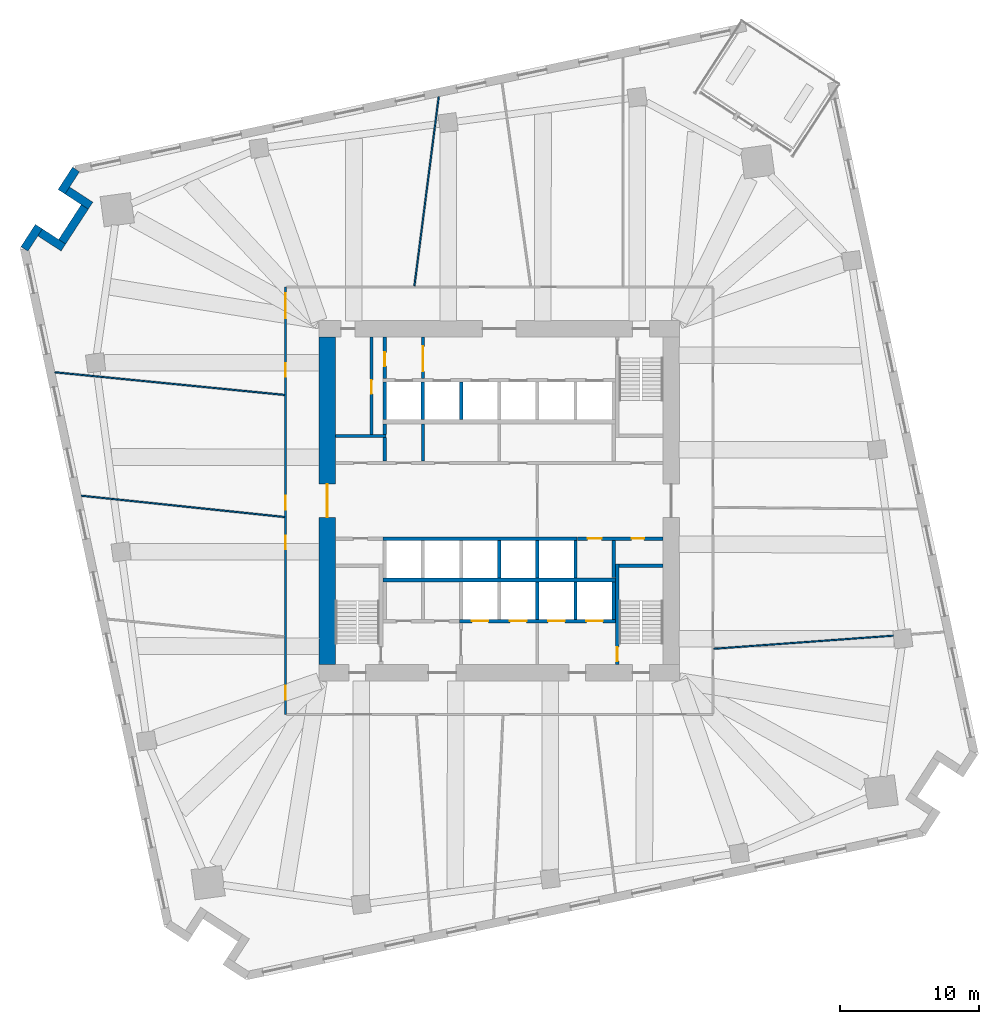
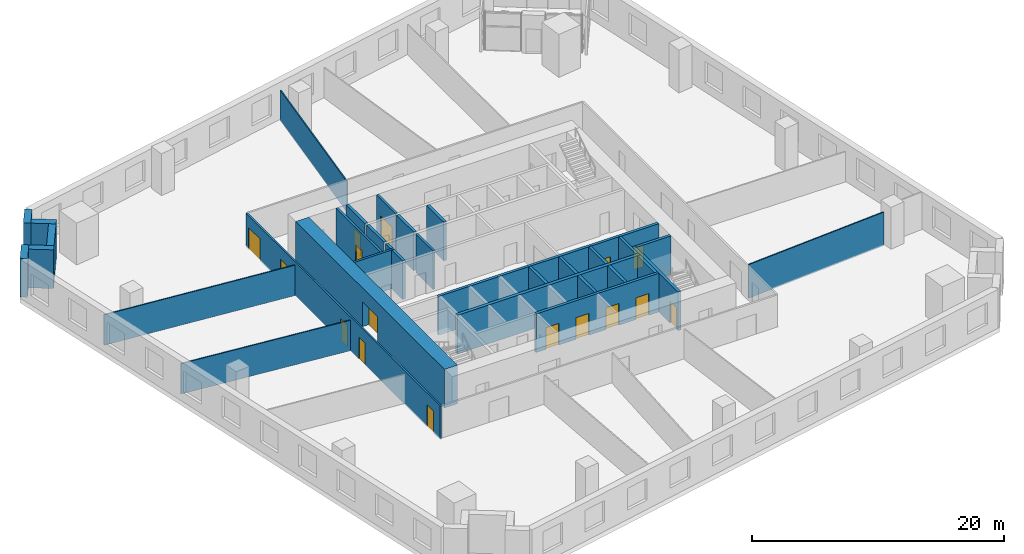
# One storey, part 5 of 10: 34 walls, 16 doors, 16 openings.
"""IFC4 building model written with IfcOpenShell, lengths in metres."""

from ifc_helpers import new_model, si_unit, direction, frame, frame_2d, origin, place, context, subcontext, project, spatial, rectangle, extrude, material, layer, layer_set, type_object, element, fill, save


model = new_model("IFC4")

# Units and contexts
model_context = context("Model", 3, precision=1e-05, world=origin(), true_north=direction((0.0, 1.0)))
body_context = subcontext(model_context, "Body", "Model", "MODEL_VIEW")
ifc_project = project(units=[si_unit("LENGTHUNIT", "METRE"), si_unit("AREAUNIT", "SQUARE_METRE"), si_unit("VOLUMEUNIT", "CUBIC_METRE"), si_unit("PLANEANGLEUNIT", "RADIAN"), si_unit("MASSUNIT", "GRAM", prefix="KILO")], contexts=[model_context])

# Site, building, storey
site_placement = place(None, origin())
site = spatial("IfcSite", under=ifc_project, at=site_placement, CompositionType="ELEMENT")
building_placement = place(site_placement, origin())
building = spatial("IfcBuilding", under=site, at=building_placement, Name="Dilmun Exchange Tower", CompositionType="ELEMENT")
storey_placement = place(building_placement, frame((0.0, 0.0, 72.300048828125)))
storey = spatial("IfcBuildingStorey", under=building, at=storey_placement, Name="L16", CompositionType="ELEMENT", Elevation=72.300048828125)

# Walls
ifc_material_1 = material(Name="Concrete C40/50", Category="concrete")
ifc_layer_1 = layer(ifc_material_1, 0.199951171875)
ifc_layer_set_1 = layer_set([ifc_layer_1], Name="Concrete C40/50")
wall_type_1 = type_object("IfcWallType", Name="Core partition wall 200", PredefinedType="PARTITIONING", material=ifc_layer_set_1)
wall_1_placement = place(storey_placement, frame((-5.5, 2.85498046875, 0.0), z_axis=(0.0, 0.0, 1.0), x_axis=(0.0, 1.0, 0.0)))
element("IfcWall", 1, at=wall_1_placement, inside=storey, type_object=wall_type_1, Name="L16 core partition wall 12", PredefinedType="PARTITIONING", context=body_context, shape_type="SweptSolid", body=[
    extrude(rectangle(XDim=2.68994140625, YDim=0.199951171875, at=frame_2d((1.344970703125, 0.0))), origin(), (0.0, 0.0, 1.0), 3.75),
])
wall_2_placement = place(storey_placement, frame((-11.794921875, 4.675048828125, 0.0), z_axis=(0.0, 0.0, 1.0), x_axis=(1.0, 0.0, 0.0)))
element("IfcWall", 2, at=wall_2_placement, inside=storey, type_object=wall_type_1, Name="L16 core partition wall 15", PredefinedType="PARTITIONING", context=body_context, shape_type="SweptSolid", body=[
    extrude(rectangle(XDim=3.64501953125, YDim=0.199951171875, at=frame_2d((1.822509765625, 0.0))), origin(), (0.0, 0.0, 1.0), 3.75),
])

# Wall, opening, door
wall_3_placement = place(storey_placement, frame((-9.199951171875, 4.780029296875, 0.0), z_axis=(0.0, 0.0, 1.0), x_axis=(0.0, 1.0, 0.0)))
wall_3 = element("IfcWall", 3, at=wall_3_placement, inside=storey, type_object=wall_type_1, Name="L16 core partition wall 16", PredefinedType="PARTITIONING", context=body_context, shape_type="SweptSolid", body=[
    extrude(rectangle(XDim=7.014892578125, YDim=0.199951171875, at=frame_2d((3.50732421875, 0.0))), origin(), (0.0, 0.0, 1.0), 3.75),
])
opening_1_placement = place(wall_3_placement, frame((2.919921875, 0.0, 0.0)))
opening_1 = element("IfcOpeningElement", 4, at=opening_1_placement, cuts=wall_3, Name="Opening CD4", PredefinedType="OPENING", context=body_context, shape_type="SweptSolid", body=[
    extrude(rectangle(XDim=1.0, YDim=2.10009765625, at=frame_2d((0.5, 1.050048828125))), frame((0.0, 0.10986328125, 0.0), z_axis=(0.0, -1.0, 0.0), x_axis=(1.0, 0.0, 0.0)), (0.0, 0.0, 1.0), 0.219970703125),
])
ifc_material_2 = material(Name="Fire-rated steel door set", Category="steel")
door_type_1 = type_object("IfcDoorType", Name="Core room door 1000x2100", OperationType="SINGLE_SWING_LEFT", PredefinedType="DOOR", material=ifc_material_2)
door_1_placement = place(opening_1_placement, origin())
door_1 = element("IfcDoor", 5, at=door_1_placement, inside=storey, type_object=door_type_1, Name="L16 door Fire safety store", OperationType="SINGLE_SWING_LEFT", OverallHeight=2.10009765625, OverallWidth=1.0, PredefinedType="DOOR", context=body_context, shape_type="SweptSolid", body=[
    extrude(rectangle(XDim=1.0, YDim=2.10009765625, at=frame_2d((0.5, 1.050048828125))), frame((0.0, 0.02490234375, 0.0), z_axis=(0.0, -1.0, 0.0), x_axis=(1.0, 0.0, 0.0)), (0.0, 0.0, 1.0), 0.050048828125),
])
fill(opening_1, door_1)

wall_4_placement = place(storey_placement, frame((-5.5, 8.804931640625, 0.0), z_axis=(0.0, 0.0, 1.0), x_axis=(0.0, 1.0, 0.0)))
wall_4 = element("IfcWall", 6, at=wall_4_placement, inside=storey, type_object=wall_type_1, Name="L16 core partition wall 19", PredefinedType="PARTITIONING", context=body_context, shape_type="SweptSolid", body=[
    extrude(rectangle(XDim=2.989990234375, YDim=0.199951171875, at=frame_2d((1.4951171875, 0.0))), origin(), (0.0, 0.0, 1.0), 3.75),
])
opening_2_placement = place(wall_4_placement, frame((0.532470703125, 0.0, 0.0)))
opening_2 = element("IfcOpeningElement", 7, at=opening_2_placement, cuts=wall_4, Name="Opening CD5", PredefinedType="OPENING", context=body_context, shape_type="SweptSolid", body=[
    extrude(rectangle(XDim=1.800048828125, YDim=2.10009765625, at=frame_2d((0.89990234375, 1.050048828125))), frame((0.0, 0.10986328125, 0.0), z_axis=(0.0, -1.0, 0.0), x_axis=(1.0, 0.0, 0.0)), (0.0, 0.0, 1.0), 0.219970703125),
])
door_type_2 = type_object("IfcDoorType", Name="Stair exit door 1800x2100", OperationType="SINGLE_SWING_LEFT", PredefinedType="DOOR", material=ifc_material_2)
door_2_placement = place(opening_2_placement, origin())
door_2 = element("IfcDoor", 8, at=door_2_placement, inside=storey, type_object=door_type_2, Name="L16 door Lift lobby east", OperationType="SINGLE_SWING_LEFT", OverallHeight=2.10009765625, OverallWidth=1.800048828125, PredefinedType="DOOR", context=body_context, shape_type="SweptSolid", body=[
    extrude(rectangle(XDim=1.800048828125, YDim=2.10009765625, at=frame_2d((0.89990234375, 1.050048828125))), frame((0.0, 0.02490234375, 0.0), z_axis=(0.0, -1.0, 0.0), x_axis=(1.0, 0.0, 0.0)), (0.0, 0.0, 1.0), 0.050048828125),
])
fill(opening_2, door_2)

# Wall
ifc_layer_2 = layer(ifc_material_1, 0.25)
ifc_layer_set_2 = layer_set([ifc_layer_2], Name="Concrete C40/50")
wall_type_2 = type_object("IfcWallType", Name="Core partition wall 250", PredefinedType="PARTITIONING", material=ifc_layer_set_2)
wall_5_placement = place(storey_placement, frame((8.25, -5.544921875, 0.0), z_axis=(0.0, 0.0, 1.0), x_axis=(0.0, 1.0, 0.0)))
element("IfcWall", 9, at=wall_5_placement, inside=storey, type_object=wall_type_2, Name="L16 core partition wall 06", PredefinedType="PARTITIONING", context=body_context, shape_type="SweptSolid", body=[
    extrude(rectangle(XDim=2.68994140625, YDim=0.25, at=frame_2d((1.344970703125, 0.0))), origin(), (0.0, 0.0, 1.0), 3.75),
])

# Wall, openings, doors
wall_6_placement = place(storey_placement, frame((5.6298828125, -2.72509765625, 0.0), z_axis=(0.0, 0.0, 1.0), x_axis=(1.0, 0.0, 0.0)))
wall_6 = element("IfcWall", 10, at=wall_6_placement, inside=storey, type_object=wall_type_2, Name="L16 core partition wall 08", PredefinedType="PARTITIONING", context=body_context, shape_type="SweptSolid", body=[
    extrude(rectangle(XDim=6.1650390625, YDim=0.25, at=frame_2d((3.08251953125, 0.0))), origin(), (0.0, 0.0, 1.0), 3.75),
])
opening_3_placement = place(wall_6_placement, frame((0.7451171875, 0.0, 0.0)))
opening_3 = element("IfcOpeningElement", 11, at=opening_3_placement, cuts=wall_6, Name="Opening CD4", PredefinedType="OPENING", context=body_context, shape_type="SweptSolid", body=[
    extrude(rectangle(XDim=1.0, YDim=2.10009765625, at=frame_2d((0.5, 1.050048828125))), frame((0.0, 0.135009765625, 0.0), z_axis=(0.0, -1.0, 0.0), x_axis=(1.0, 0.0, 0.0)), (0.0, 0.0, 1.0), 0.27001953125),
])
opening_4_placement = place(wall_6_placement, frame((3.919921875, 0.0, 0.0)))
opening_4 = element("IfcOpeningElement", 12, at=opening_4_placement, cuts=wall_6, Name="Opening CD6", PredefinedType="OPENING", context=body_context, shape_type="SweptSolid", body=[
    extrude(rectangle(XDim=0.89990234375, YDim=2.10009765625, at=frame_2d((0.449951171875, 1.050048828125))), frame((0.0, 0.135009765625, 0.0), z_axis=(0.0, -1.0, 0.0), x_axis=(1.0, 0.0, 0.0)), (0.0, 0.0, 1.0), 0.27001953125),
])
door_3_placement = place(opening_3_placement, origin())
door_3 = element("IfcDoor", 13, at=door_3_placement, inside=storey, type_object=door_type_1, Name="L16 door Cleaners' store", OperationType="SINGLE_SWING_LEFT", OverallHeight=2.10009765625, OverallWidth=1.0, PredefinedType="DOOR", context=body_context, shape_type="SweptSolid", body=[
    extrude(rectangle(XDim=1.0, YDim=2.10009765625, at=frame_2d((0.5, 1.050048828125))), frame((0.0, 0.02490234375, 0.0), z_axis=(0.0, -1.0, 0.0), x_axis=(1.0, 0.0, 0.0)), (0.0, 0.0, 1.0), 0.050048828125),
])
fill(opening_3, door_3)
door_type_3 = type_object("IfcDoorType", Name="Core room door 900x2100", OperationType="SINGLE_SWING_LEFT", PredefinedType="DOOR", material=ifc_material_2)
door_4_placement = place(opening_4_placement, origin())
door_4 = element("IfcDoor", 14, at=door_4_placement, inside=storey, type_object=door_type_3, Name="L16 door Comms riser", OperationType="SINGLE_SWING_LEFT", OverallHeight=2.10009765625, OverallWidth=0.89990234375, PredefinedType="DOOR", context=body_context, shape_type="SweptSolid", body=[
    extrude(rectangle(XDim=0.89990234375, YDim=2.10009765625, at=frame_2d((0.449951171875, 1.050048828125))), frame((0.0, 0.02490234375, 0.0), z_axis=(0.0, -1.0, 0.0), x_axis=(1.0, 0.0, 0.0)), (0.0, 0.0, 1.0), 0.050048828125),
])
fill(opening_4, door_4)

# Walls
wall_7_placement = place(storey_placement, frame((-8.25, 2.85498046875, 0.0), z_axis=(0.0, 0.0, 1.0), x_axis=(0.0, 1.0, 0.0)))
element("IfcWall", 15, at=wall_7_placement, inside=storey, type_object=wall_type_2, Name="L16 core partition wall 11", PredefinedType="PARTITIONING", context=body_context, shape_type="SweptSolid", body=[
    extrude(rectangle(XDim=1.715087890625, YDim=0.25, at=frame_2d((0.857421875, 0.0))), origin(), (0.0, 0.0, 1.0), 3.75),
])
wall_8_placement = place(storey_placement, frame((-8.25, 4.780029296875, 0.0), z_axis=(0.0, 0.0, 1.0), x_axis=(0.0, 1.0, 0.0)))
element("IfcWall", 16, at=wall_8_placement, inside=storey, type_object=wall_type_2, Name="L16 core partition wall 17", PredefinedType="PARTITIONING", context=body_context, shape_type="SweptSolid", body=[
    extrude(rectangle(XDim=0.764892578125, YDim=0.25, at=frame_2d((0.38232421875, 0.0))), origin(), (0.0, 0.0, 1.0), 3.75),
])

# Wall, opening, door
wall_9_placement = place(storey_placement, frame((-8.25, 8.804931640625, 0.0), z_axis=(0.0, 0.0, 1.0), x_axis=(0.0, 1.0, 0.0)))
wall_9 = element("IfcWall", 17, at=wall_9_placement, inside=storey, type_object=wall_type_2, Name="L16 core partition wall 18", PredefinedType="PARTITIONING", context=body_context, shape_type="SweptSolid", body=[
    extrude(rectangle(XDim=2.989990234375, YDim=0.25, at=frame_2d((1.4951171875, 0.0))), origin(), (0.0, 0.0, 1.0), 3.75),
])
opening_5_placement = place(wall_9_placement, frame((0.89501953125, 0.0, 0.0)))
opening_5 = element("IfcOpeningElement", 18, at=opening_5_placement, cuts=wall_9, Name="Opening CD4", PredefinedType="OPENING", context=body_context, shape_type="SweptSolid", body=[
    extrude(rectangle(XDim=1.0, YDim=2.10009765625, at=frame_2d((0.5, 1.050048828125))), frame((0.0, 0.135009765625, 0.0), z_axis=(0.0, -1.0, 0.0), x_axis=(1.0, 0.0, 0.0)), (0.0, 0.0, 1.0), 0.27001953125),
])
door_5_placement = place(opening_5_placement, origin())
door_5 = element("IfcDoor", 19, at=door_5_placement, inside=storey, type_object=door_type_1, Name="L16 door Tenant services room", OperationType="SINGLE_SWING_LEFT", OverallHeight=2.10009765625, OverallWidth=1.0, PredefinedType="DOOR", context=body_context, shape_type="SweptSolid", body=[
    extrude(rectangle(XDim=1.0, YDim=2.10009765625, at=frame_2d((0.5, 1.050048828125))), frame((0.0, 0.02490234375, 0.0), z_axis=(0.0, -1.0, 0.0), x_axis=(1.0, 0.0, 0.0)), (0.0, 0.0, 1.0), 0.050048828125),
])
fill(opening_5, door_5)

ifc_material_3 = material(Name="Concrete C80/95", Category="concrete")
ifc_layer_3 = layer(ifc_material_3, 1.199951171875)
ifc_layer_set_3 = layer_set([ifc_layer_3], Name="Concrete C80/95")
wall_type_3 = type_object("IfcWallType", Name="Core shear wall 1200 Concrete C80/95", PredefinedType="SHEAR", material=ifc_layer_set_3)
wall_10_placement = place(storey_placement, frame((-12.39990234375, -11.800048828125, 0.0), z_axis=(0.0, 0.0, 1.0), x_axis=(0.0, 1.0, 0.0)))
wall_10 = element("IfcWall", 20, at=wall_10_placement, inside=storey, type_object=wall_type_3, Name="L16 core shear wall W", PredefinedType="SHEAR", context=body_context, shape_type="SweptSolid", body=[
    extrude(rectangle(XDim=23.60009765625, YDim=1.199951171875, at=frame_2d((11.800048828125, 0.0))), origin(), (0.0, 0.0, 1.0), 3.75),
])
opening_6_placement = place(wall_10_placement, frame((10.60009765625, 0.0, 0.0)))
opening_6 = element("IfcOpeningElement", 21, at=opening_6_placement, cuts=wall_10, Name="Opening CD1", PredefinedType="OPENING", context=body_context, shape_type="SweptSolid", body=[
    extrude(rectangle(XDim=2.39990234375, YDim=2.39990234375, at=frame_2d((1.199951171875, 1.199951171875))), frame((0.0, 0.60986328125, 0.0), z_axis=(0.0, -1.0, 0.0), x_axis=(1.0, 0.0, 0.0)), (0.0, 0.0, 1.0), 1.219970703125),
])
door_type_4 = type_object("IfcDoorType", Name="Core lobby door 2400x2400", OperationType="DOUBLE_DOOR_DOUBLE_SWING", PredefinedType="DOOR", material=ifc_material_2)
door_6_placement = place(opening_6_placement, origin())
door_6 = element("IfcDoor", 22, at=door_6_placement, inside=storey, type_object=door_type_4, Name="L16 door Central lift lobby", OperationType="SINGLE_SWING_LEFT", OverallHeight=2.39990234375, OverallWidth=2.39990234375, PredefinedType="DOOR", context=body_context, shape_type="SweptSolid", body=[
    extrude(rectangle(XDim=2.39990234375, YDim=2.39990234375, at=frame_2d((1.199951171875, 1.199951171875))), frame((0.0, 0.02490234375, 0.0), z_axis=(0.0, -1.0, 0.0), x_axis=(1.0, 0.0, 0.0)), (0.0, 0.0, 1.0), 0.050048828125),
])
fill(opening_6, door_6)

# Wall, openings, doors
ifc_material_4 = material(Name="Corridor wall 150")
ifc_layer_4 = layer(ifc_material_4, 0.14990234375)
ifc_layer_set_4 = layer_set([ifc_layer_4], Name="Corridor wall 150")
wall_type_4 = type_object("IfcWallType", Name="Corridor wall 150", PredefinedType="PARTITIONING", material=ifc_layer_set_4)
wall_11_placement = place(storey_placement, frame((-15.39990234375, -15.39990234375, 0.0), z_axis=(0.0, 0.0, 1.0), x_axis=(0.0, 1.0, 0.0)))
wall_11 = element("IfcWall", 23, at=wall_11_placement, inside=storey, type_object=wall_type_4, Name="Corridor wall", PredefinedType="PARTITIONING", context=body_context, shape_type="SweptSolid", body=[
    extrude(rectangle(XDim=30.7998046875, YDim=0.14990234375, at=frame_2d((15.39990234375, 0.0))), origin(), (0.0, 0.0, 1.0), 3.25),
])
opening_7_placement = place(wall_11_placement, frame((14.771484375, 0.0, 0.0)))
opening_7 = element("IfcOpeningElement", 24, at=opening_7_placement, cuts=wall_11, Name="Opening TF15-D01", PredefinedType="OPENING", context=body_context, shape_type="SweptSolid", body=[
    extrude(rectangle(XDim=1.0, YDim=2.10009765625, at=frame_2d((0.5, 1.050048828125))), frame((0.0, 0.0849609375, 0.0), z_axis=(0.0, -1.0, 0.0), x_axis=(1.0, 0.0, 0.0)), (0.0, 0.0, 1.0), 0.169921875),
])
opening_8_placement = place(wall_11_placement, frame((11.897216796875, 0.0, 0.0)))
opening_8 = element("IfcOpeningElement", 25, at=opening_8_placement, cuts=wall_11, Name="Opening TF15-D02", PredefinedType="OPENING", context=body_context, shape_type="SweptSolid", body=[
    extrude(rectangle(XDim=1.0, YDim=2.10009765625, at=frame_2d((0.5, 1.050048828125))), frame((0.0, 0.0849609375, 0.0), z_axis=(0.0, -1.0, 0.0), x_axis=(1.0, 0.0, 0.0)), (0.0, 0.0, 1.0), 0.169921875),
])
opening_9_placement = place(wall_11_placement, frame((28.5732421875, 0.0, 0.0)))
opening_9 = element("IfcOpeningElement", 26, at=opening_9_placement, cuts=wall_11, Name="Opening TF15-D03", PredefinedType="OPENING", context=body_context, shape_type="SweptSolid", body=[
    extrude(rectangle(XDim=1.800048828125, YDim=2.10009765625, at=frame_2d((0.89990234375, 1.050048828125))), frame((0.0, 0.0849609375, 0.0), z_axis=(0.0, -1.0, 0.0), x_axis=(1.0, 0.0, 0.0)), (0.0, 0.0, 1.0), 0.169921875),
])
opening_10_placement = place(wall_11_placement, frame((24.3232421875, 0.0, 0.0)))
opening_10 = element("IfcOpeningElement", 27, at=opening_10_placement, cuts=wall_11, Name="Opening TF15-D04", PredefinedType="OPENING", context=body_context, shape_type="SweptSolid", body=[
    extrude(rectangle(XDim=1.0, YDim=2.10009765625, at=frame_2d((0.5, 1.050048828125))), frame((0.0, 0.0849609375, 0.0), z_axis=(0.0, -1.0, 0.0), x_axis=(1.0, 0.0, 0.0)), (0.0, 0.0, 1.0), 0.169921875),
])
opening_11_placement = place(wall_11_placement, frame((1.050048828125, 0.0, 0.0)))
opening_11 = element("IfcOpeningElement", 28, at=opening_11_placement, cuts=wall_11, Name="Opening TF15-D06", PredefinedType="OPENING", context=body_context, shape_type="SweptSolid", body=[
    extrude(rectangle(XDim=1.0, YDim=2.10009765625, at=frame_2d((0.5, 1.050048828125))), frame((0.0, 0.0849609375, 0.0), z_axis=(0.0, -1.0, 0.0), x_axis=(1.0, 0.0, 0.0)), (0.0, 0.0, 1.0), 0.169921875),
])
ifc_material_5 = material(Name="Fire door 1000 x 2100")
door_type_5 = type_object("IfcDoorType", Name="Fire door 1000 x 2100", OperationType="NOTDEFINED", PredefinedType="DOOR", material=ifc_material_5)
door_7_placement = place(opening_7_placement, origin())
door_7 = element("IfcDoor", 29, at=door_7_placement, inside=storey, type_object=door_type_5, Name="Door TF15-D01", OperationType="SINGLE_SWING_RIGHT", OverallHeight=2.10009765625, OverallWidth=1.0, PredefinedType="DOOR", context=body_context, shape_type="SweptSolid", body=[
    extrude(rectangle(XDim=1.0, YDim=2.10009765625, at=frame_2d((0.5, 1.050048828125))), frame((0.0, 0.02490234375, 0.0), z_axis=(0.0, -1.0, 0.0), x_axis=(1.0, 0.0, 0.0)), (0.0, 0.0, 1.0), 0.050048828125),
])
fill(opening_7, door_7)
door_8_placement = place(opening_8_placement, origin())
door_8 = element("IfcDoor", 30, at=door_8_placement, inside=storey, type_object=door_type_5, Name="Door TF15-D02", OperationType="SINGLE_SWING_RIGHT", OverallHeight=2.10009765625, OverallWidth=1.0, PredefinedType="DOOR", context=body_context, shape_type="SweptSolid", body=[
    extrude(rectangle(XDim=1.0, YDim=2.10009765625, at=frame_2d((0.5, 1.050048828125))), frame((0.0, 0.02490234375, 0.0), z_axis=(0.0, -1.0, 0.0), x_axis=(1.0, 0.0, 0.0)), (0.0, 0.0, 1.0), 0.050048828125),
])
fill(opening_8, door_8)
door_9_placement = place(opening_10_placement, origin())
door_9 = element("IfcDoor", 31, at=door_9_placement, inside=storey, type_object=door_type_5, Name="Door TF15-D04", OperationType="SINGLE_SWING_LEFT", OverallHeight=2.10009765625, OverallWidth=1.0, PredefinedType="DOOR", context=body_context, shape_type="SweptSolid", body=[
    extrude(rectangle(XDim=1.0, YDim=2.10009765625, at=frame_2d((0.5, 1.050048828125))), frame((0.0, 0.02490234375, 0.0), z_axis=(0.0, -1.0, 0.0), x_axis=(1.0, 0.0, 0.0)), (0.0, 0.0, 1.0), 0.050048828125),
])
fill(opening_10, door_9)
door_10_placement = place(opening_11_placement, origin())
door_10 = element("IfcDoor", 32, at=door_10_placement, inside=storey, type_object=door_type_5, Name="Door TF15-D06", OperationType="SINGLE_SWING_RIGHT", OverallHeight=2.10009765625, OverallWidth=1.0, PredefinedType="DOOR", context=body_context, shape_type="SweptSolid", body=[
    extrude(rectangle(XDim=1.0, YDim=2.10009765625, at=frame_2d((0.5, 1.050048828125))), frame((0.0, 0.02490234375, 0.0), z_axis=(0.0, -1.0, 0.0), x_axis=(1.0, 0.0, 0.0)), (0.0, 0.0, 1.0), 0.050048828125),
])
fill(opening_11, door_10)
ifc_material_6 = material(Name="Fire door pair 1800 x 2100")
door_type_6 = type_object("IfcDoorType", Name="Fire door pair 1800 x 2100", OperationType="NOTDEFINED", PredefinedType="DOOR", material=ifc_material_6)
door_11_placement = place(opening_9_placement, origin())
door_11 = element("IfcDoor", 33, at=door_11_placement, inside=storey, type_object=door_type_6, Name="Door TF15-D03", OperationType="DOUBLE_DOOR_SINGLE_SWING", OverallHeight=2.10009765625, OverallWidth=1.800048828125, PredefinedType="DOOR", context=body_context, shape_type="SweptSolid", body=[
    extrude(rectangle(XDim=1.800048828125, YDim=2.10009765625, at=frame_2d((0.89990234375, 1.050048828125))), frame((0.0, 0.02490234375, 0.0), z_axis=(0.0, -1.0, 0.0), x_axis=(1.0, 0.0, 0.0)), (0.0, 0.0, 1.0), 0.050048828125),
])
fill(opening_9, door_11)

# Walls
ifc_layer_5 = layer(ifc_material_1, 0.300048828125)
ifc_layer_set_5 = layer_set([ifc_layer_5], Name="Concrete C40/50")
wall_type_5 = type_object("IfcWallType", Name="Lift shaft shared wall 300", PredefinedType="SOLIDWALL", material=ifc_layer_set_5)
wall_12_placement = place(storey_placement, frame((-8.375, -5.699951171875, 0.0), z_axis=(0.0, 0.0, 1.0), x_axis=(1.0, 0.0, 0.0)))
element("IfcWall", 34, at=wall_12_placement, inside=storey, type_object=wall_type_5, Name="L16 lift shaft rear wall S", PredefinedType="SOLIDWALL", context=body_context, shape_type="SweptSolid", body=[
    extrude(rectangle(XDim=16.75, YDim=0.300048828125, at=frame_2d((8.375, 0.0))), origin(), (0.0, 0.0, 1.0), 3.75),
])
ifc_layer_6 = layer(ifc_material_1, 0.25)
ifc_layer_set_6 = layer_set([ifc_layer_6], Name="Concrete C40/50")
wall_type_6 = type_object("IfcWallType", Name="Lift shaft wall 250", PredefinedType="SOLIDWALL", material=ifc_layer_set_6)
for number, where, z_axis, x_axis, name in (
    (35, (-8.25, 5.85009765625, 0.0), (0.0, 0.0, 1.0), (0.0, 1.0, 0.0), "L16 lift shaft divider N20"),
    (36, (-5.5, 5.85009765625, 0.0), (0.0, 0.0, 1.0), (0.0, 1.0, 0.0), "L16 lift shaft divider N21"),
    (37, (-2.75, 5.85009765625, 0.0), (0.0, 0.0, 1.0), (0.0, 1.0, 0.0), "L16 lift shaft divider N22"),
):
    element("IfcWall", number, at=place(storey_placement, frame(where, z_axis=z_axis, x_axis=x_axis)), inside=storey, type_object=wall_type_6, Name=name, PredefinedType="SOLIDWALL", context=body_context, shape_type="SweptSolid", body=[
        extrude(rectangle(XDim=2.699951171875, YDim=0.25, at=frame_2d((1.35009765625, 0.0))), origin(), (0.0, 0.0, 1.0), 3.75),
    ])
wall_13_placement = place(storey_placement, frame((-8.375, -2.72509765625, 0.0), z_axis=(0.0, 0.0, 1.0), x_axis=(1.0, 0.0, 0.0)))
element("IfcWall", 38, at=wall_13_placement, inside=storey, type_object=wall_type_6, Name="L16 lift shaft front wall S1", PredefinedType="SOLIDWALL", context=body_context, shape_type="SweptSolid", body=[
    extrude(rectangle(XDim=14.0, YDim=0.25, at=frame_2d((7.0, 0.0))), origin(), (0.0, 0.0, 1.0), 3.75),
])
for number, where, z_axis, x_axis, name in (
    (39, (0.0, -5.550048828125, 0.0), (0.0, 0.0, 1.0), (0.0, 1.0, 0.0), "L16 lift shaft divider S13"),
    (40, (2.75, -5.550048828125, 0.0), (0.0, 0.0, 1.0), (0.0, 1.0, 0.0), "L16 lift shaft divider S14"),
    (41, (5.5, -5.550048828125, 0.0), (0.0, 0.0, 1.0), (0.0, 1.0, 0.0), "L16 lift shaft divider S15"),
):
    element("IfcWall", number, at=place(storey_placement, frame(where, z_axis=z_axis, x_axis=x_axis)), inside=storey, type_object=wall_type_6, Name=name, PredefinedType="SOLIDWALL", context=body_context, shape_type="SweptSolid", body=[
        extrude(rectangle(XDim=2.699951171875, YDim=0.25, at=frame_2d((1.35009765625, 0.0))), origin(), (0.0, 0.0, 1.0), 3.75),
    ])

# Wall, openings, doors
wall_14_placement = place(storey_placement, frame((-2.875, -8.675048828125, 0.0), z_axis=(0.0, 0.0, 1.0), x_axis=(1.0, 0.0, 0.0)))
wall_14 = element("IfcWall", 42, at=wall_14_placement, inside=storey, type_object=wall_type_6, Name="L16 lift shaft front wall S2", PredefinedType="SOLIDWALL", context=body_context, shape_type="SweptSolid", body=[
    extrude(rectangle(XDim=11.25, YDim=0.25, at=frame_2d((5.625, 0.0))), origin(), (0.0, 0.0, 1.0), 3.75),
])
opening_12_placement = place(wall_14_placement, frame((0.89990234375, 0.0, 0.0)))
opening_12 = element("IfcOpeningElement", 43, at=opening_12_placement, cuts=wall_14, Name="Opening LD", PredefinedType="OPENING", context=body_context, shape_type="SweptSolid", body=[
    extrude(rectangle(XDim=1.199951171875, YDim=2.10009765625, at=frame_2d((0.60009765625, 1.050048828125))), frame((0.0, 0.135009765625, 0.0), z_axis=(0.0, -1.0, 0.0), x_axis=(1.0, 0.0, 0.0)), (0.0, 0.0, 1.0), 0.27001953125),
])
opening_13_placement = place(wall_14_placement, frame((3.64990234375, 0.0, 0.0)))
opening_13 = element("IfcOpeningElement", 44, at=opening_13_placement, cuts=wall_14, Name="Opening LD", PredefinedType="OPENING", context=body_context, shape_type="SweptSolid", body=[
    extrude(rectangle(XDim=1.199951171875, YDim=2.10009765625, at=frame_2d((0.60009765625, 1.050048828125))), frame((0.0, 0.135009765625, 0.0), z_axis=(0.0, -1.0, 0.0), x_axis=(1.0, 0.0, 0.0)), (0.0, 0.0, 1.0), 0.27001953125),
])
opening_14_placement = place(wall_14_placement, frame((6.39990234375, 0.0, 0.0)))
opening_14 = element("IfcOpeningElement", 45, at=opening_14_placement, cuts=wall_14, Name="Opening LD", PredefinedType="OPENING", context=body_context, shape_type="SweptSolid", body=[
    extrude(rectangle(XDim=1.199951171875, YDim=2.10009765625, at=frame_2d((0.60009765625, 1.050048828125))), frame((0.0, 0.135009765625, 0.0), z_axis=(0.0, -1.0, 0.0), x_axis=(1.0, 0.0, 0.0)), (0.0, 0.0, 1.0), 0.27001953125),
])
opening_15_placement = place(wall_14_placement, frame((9.14990234375, 0.0, 0.0)))
opening_15 = element("IfcOpeningElement", 46, at=opening_15_placement, cuts=wall_14, Name="Opening LD", PredefinedType="OPENING", context=body_context, shape_type="SweptSolid", body=[
    extrude(rectangle(XDim=1.199951171875, YDim=2.10009765625, at=frame_2d((0.60009765625, 1.050048828125))), frame((0.0, 0.135009765625, 0.0), z_axis=(0.0, -1.0, 0.0), x_axis=(1.0, 0.0, 0.0)), (0.0, 0.0, 1.0), 0.27001953125),
])
door_type_7 = type_object("IfcDoorType", Name="Lift landing door 1200x2100", OperationType="DOUBLE_DOOR_SLIDING", PredefinedType="DOOR", material=ifc_material_2)
door_12_placement = place(opening_12_placement, origin())
door_12 = element("IfcDoor", 47, at=door_12_placement, inside=storey, type_object=door_type_7, Name="L16 landing door SV1", OperationType="DOUBLE_DOOR_SLIDING", OverallHeight=2.10009765625, OverallWidth=1.199951171875, PredefinedType="DOOR", context=body_context, shape_type="SweptSolid", body=[
    extrude(rectangle(XDim=1.199951171875, YDim=2.10009765625, at=frame_2d((0.60009765625, 1.050048828125))), frame((0.0, 0.02490234375, 0.0), z_axis=(0.0, -1.0, 0.0), x_axis=(1.0, 0.0, 0.0)), (0.0, 0.0, 1.0), 0.050048828125),
])
fill(opening_12, door_12)
door_13_placement = place(opening_13_placement, origin())
door_13 = element("IfcDoor", 48, at=door_13_placement, inside=storey, type_object=door_type_7, Name="L16 landing door SV2", OperationType="DOUBLE_DOOR_SLIDING", OverallHeight=2.10009765625, OverallWidth=1.199951171875, PredefinedType="DOOR", context=body_context, shape_type="SweptSolid", body=[
    extrude(rectangle(XDim=1.199951171875, YDim=2.10009765625, at=frame_2d((0.60009765625, 1.050048828125))), frame((0.0, 0.02490234375, 0.0), z_axis=(0.0, -1.0, 0.0), x_axis=(1.0, 0.0, 0.0)), (0.0, 0.0, 1.0), 0.050048828125),
])
fill(opening_13, door_13)
door_14_placement = place(opening_14_placement, origin())
door_14 = element("IfcDoor", 49, at=door_14_placement, inside=storey, type_object=door_type_7, Name="L16 landing door FF1", OperationType="DOUBLE_DOOR_SLIDING", OverallHeight=2.10009765625, OverallWidth=1.199951171875, PredefinedType="DOOR", context=body_context, shape_type="SweptSolid", body=[
    extrude(rectangle(XDim=1.199951171875, YDim=2.10009765625, at=frame_2d((0.60009765625, 1.050048828125))), frame((0.0, 0.02490234375, 0.0), z_axis=(0.0, -1.0, 0.0), x_axis=(1.0, 0.0, 0.0)), (0.0, 0.0, 1.0), 0.050048828125),
])
fill(opening_14, door_14)
door_15_placement = place(opening_15_placement, origin())
door_15 = element("IfcDoor", 50, at=door_15_placement, inside=storey, type_object=door_type_7, Name="L16 landing door FF2", OperationType="DOUBLE_DOOR_SLIDING", OverallHeight=2.10009765625, OverallWidth=1.199951171875, PredefinedType="DOOR", context=body_context, shape_type="SweptSolid", body=[
    extrude(rectangle(XDim=1.199951171875, YDim=2.10009765625, at=frame_2d((0.60009765625, 1.050048828125))), frame((0.0, 0.02490234375, 0.0), z_axis=(0.0, -1.0, 0.0), x_axis=(1.0, 0.0, 0.0)), (0.0, 0.0, 1.0), 0.050048828125),
])
fill(opening_15, door_15)

# Walls
for number, where, z_axis, x_axis, name in (
    (51, (2.75, -8.550048828125, 0.0), (0.0, 0.0, 1.0), (0.0, 1.0, 0.0), "L16 lift shaft divider S24"),
    (52, (5.5, -8.550048828125, 0.0), (0.0, 0.0, 1.0), (0.0, 1.0, 0.0), "L16 lift shaft divider S25"),
    (53, (8.25, -8.550048828125, 0.0), (0.0, 0.0, 1.0), (0.0, 1.0, 0.0), "L16 lift shaft divider S26"),
):
    element("IfcWall", number, at=place(storey_placement, frame(where, z_axis=z_axis, x_axis=x_axis)), inside=storey, type_object=wall_type_6, Name=name, PredefinedType="SOLIDWALL", context=body_context, shape_type="SweptSolid", body=[
        extrude(rectangle(XDim=2.699951171875, YDim=0.25, at=frame_2d((1.35009765625, 0.0))), origin(), (0.0, 0.0, 1.0), 3.75),
    ])
ifc_material_7 = material(Name="Partition 100")
ifc_layer_7 = layer(ifc_material_7, 0.10009765625)
ifc_layer_set_7 = layer_set([ifc_layer_7], Name="Partition 100")
wall_type_7 = type_object("IfcWallType", Name="Partition 100", PredefinedType="PARTITIONING", material=ifc_layer_set_7)
wall_15_placement = place(storey_placement, frame((-32.023681640625, 9.262939453125, 0.0), z_axis=(0.0, 0.0, 1.0), x_axis=(0.995169060452, -0.098176072032, 0.0)))
element("IfcWall", 54, at=wall_15_placement, inside=storey, type_object=wall_type_7, Name="Partition", PredefinedType="PARTITIONING", context=body_context, shape_type="SweptSolid", body=[
    extrude(rectangle(XDim=16.6240234375, YDim=0.10009765625, at=frame_2d((8.31201171875, 0.0))), origin(), (0.0, 0.0, 1.0), 2.949951171875),
])
wall_16_placement = place(storey_placement, frame((-30.132568359375, 0.365966796875, 0.0), z_axis=(0.0, 0.0, 1.0), x_axis=(0.994552749897, -0.104234484085, 0.0)))
element("IfcWall", 55, at=wall_16_placement, inside=storey, type_object=wall_type_7, Name="Partition", PredefinedType="PARTITIONING", context=body_context, shape_type="SweptSolid", body=[
    extrude(rectangle(XDim=14.732666015625, YDim=0.10009765625, at=frame_2d((7.3662109375, 0.0))), origin(), (0.0, 0.0, 1.0), 2.949951171875),
])
wall_17_placement = place(storey_placement, frame((-6.112548828125, 15.4814453125, 0.0), z_axis=(0.0, 0.0, 1.0), x_axis=(0.127303532476, 0.991863806487, 0.0)))
element("IfcWall", 56, at=wall_17_placement, inside=storey, type_object=wall_type_7, Name="Partition", PredefinedType="PARTITIONING", context=body_context, shape_type="SweptSolid", body=[
    extrude(rectangle(XDim=13.75830078125, YDim=0.10009765625, at=frame_2d((6.879150390625, 0.0))), origin(), (0.0, 0.0, 1.0), 2.949951171875),
])
wall_18_placement = place(storey_placement, frame((15.478515625, -10.664306640625, 0.0), z_axis=(0.0, 0.0, 1.0), x_axis=(0.997362198838, 0.072585427795, 0.0)))
element("IfcWall", 57, at=wall_18_placement, inside=storey, type_object=wall_type_7, Name="Partition", PredefinedType="PARTITIONING", context=body_context, shape_type="SweptSolid", body=[
    extrude(rectangle(XDim=12.962890625, YDim=0.10009765625, at=frame_2d((6.4814453125, 0.0))), origin(), (0.0, 0.0, 1.0), 3.25),
])
ifc_material_8 = material(Name="Precast concrete C50/60", Category="concrete")
ifc_layer_8 = layer(ifc_material_8, 0.60009765625)
ifc_layer_set_8 = layer_set([ifc_layer_8], Name="Precast concrete C50/60")
wall_type_8 = type_object("IfcWallType", Name="Precast stone-clad wall 600", PredefinedType="STANDARD", material=ifc_layer_set_8)
wall_19_placement = place(storey_placement, frame((-30.507080078125, 23.87890625, 0.0), z_axis=(0.0, 0.0, 1.0), x_axis=(-0.5446964617, -0.838633271825, 0.0)))
element("IfcWall", 58, at=wall_19_placement, inside=storey, type_object=wall_type_8, Name="Facade wall L16-04", PredefinedType="STANDARD", context=body_context, shape_type="SweptSolid", body=[
    extrude(rectangle(XDim=1.9111328125, YDim=0.60009765625, at=frame_2d((0.95556640625, 0.0))), origin(), (0.0, 0.0, 1.0), 3.75),
])
wall_20_placement = place(storey_placement, frame((-31.133056640625, 22.3642578125, 0.0), z_axis=(0.0, 0.0, 1.0), x_axis=(0.838638792855, -0.54468796124, 0.0)))
element("IfcWall", 59, at=wall_20_placement, inside=storey, type_object=wall_type_8, Name="Facade wall L16-05", PredefinedType="STANDARD", context=body_context, shape_type="SweptSolid", body=[
    extrude(rectangle(XDim=2.0, YDim=0.60009765625, at=frame_2d((1.0, 0.0))), origin(), (0.0, 0.0, 1.0), 3.75),
])
wall_21_placement = place(storey_placement, frame((-29.87060546875, 21.186767578125, 0.0), z_axis=(0.0, 0.0, 1.0), x_axis=(-0.54468796124, -0.838638792855, 0.0)))
element("IfcWall", 60, at=wall_21_placement, inside=storey, type_object=wall_type_8, Name="Facade wall L16-06", PredefinedType="STANDARD", context=body_context, shape_type="SweptSolid", body=[
    extrude(rectangle(XDim=3.0, YDim=0.60009765625, at=frame_2d((1.5, 0.0))), origin(), (0.0, 0.0, 1.0), 3.75),
])
wall_22_placement = place(storey_placement, frame((-31.41650390625, 18.255859375, 0.0), z_axis=(0.0, 0.0, 1.0), x_axis=(-0.838638792855, 0.54468796124, 0.0)))
element("IfcWall", 61, at=wall_22_placement, inside=storey, type_object=wall_type_8, Name="Facade wall L16-07", PredefinedType="STANDARD", context=body_context, shape_type="SweptSolid", body=[
    extrude(rectangle(XDim=2.0, YDim=0.60009765625, at=frame_2d((1.0, 0.0))), origin(), (0.0, 0.0, 1.0), 3.75),
])
wall_23_placement = place(storey_placement, frame((-33.181884765625, 19.760009765625, 0.0), z_axis=(0.0, 0.0, 1.0), x_axis=(-0.5446964617, -0.838633271825, 0.0)))
element("IfcWall", 62, at=wall_23_placement, inside=storey, type_object=wall_type_8, Name="Facade wall L16-08", PredefinedType="STANDARD", context=body_context, shape_type="SweptSolid", body=[
    extrude(rectangle(XDim=1.9111328125, YDim=0.60009765625, at=frame_2d((0.95556640625, 0.0))), origin(), (0.0, 0.0, 1.0), 3.75),
])
ifc_layer_9 = layer(ifc_material_1, 0.25)
ifc_layer_set_9 = layer_set([ifc_layer_9], Name="Concrete C40/50")
wall_type_9 = type_object("IfcWallType", Name="Stair end wall 250", PredefinedType="SOLIDWALL", material=ifc_layer_set_9)
wall_24_placement = place(storey_placement, frame((8.64990234375, -4.675048828125, 0.0), z_axis=(0.0, 0.0, 1.0), x_axis=(1.0, 0.0, 0.0)))
element("IfcWall", 63, at=wall_24_placement, inside=storey, type_object=wall_type_9, Name="L16 ST3 far wall", PredefinedType="SOLIDWALL", context=body_context, shape_type="SweptSolid", body=[
    extrude(rectangle(XDim=3.150146484375, YDim=0.25, at=frame_2d((1.5751953125, 0.0))), origin(), (0.0, 0.0, 1.0), 3.75),
])

# Wall, opening, door
ifc_layer_10 = layer(ifc_material_1, 0.27490234375)
ifc_layer_set_10 = layer_set([ifc_layer_10], Name="Concrete C40/50")
wall_type_10 = type_object("IfcWallType", Name="Stair wall 275", PredefinedType="SOLIDWALL", material=ifc_layer_set_10)
wall_25_placement = place(storey_placement, frame((8.512451171875, -4.550048828125, 0.0), z_axis=(0.0, 0.0, 1.0), x_axis=(0.0, -1.0, 0.0)))
wall_25 = element("IfcWall", 64, at=wall_25_placement, inside=storey, type_object=wall_type_10, Name="L16 ST3 wall to lift block", PredefinedType="SOLIDWALL", context=body_context, shape_type="SweptSolid", body=[
    extrude(rectangle(XDim=7.25, YDim=0.27490234375, at=frame_2d((3.625, 0.0))), origin(), (0.0, 0.0, 1.0), 3.75),
])
opening_16_placement = place(wall_25_placement, frame((6.0, 0.0, 0.0)))
opening_16 = element("IfcOpeningElement", 65, at=opening_16_placement, cuts=wall_25, Name="Opening CD4", PredefinedType="OPENING", context=body_context, shape_type="SweptSolid", body=[
    extrude(rectangle(XDim=1.0, YDim=2.10009765625, at=frame_2d((0.5, 1.050048828125))), frame((0.0, 0.1474609375, 0.0), z_axis=(0.0, -1.0, 0.0), x_axis=(1.0, 0.0, 0.0)), (0.0, 0.0, 1.0), 0.294921875),
])
door_16_placement = place(opening_16_placement, origin())
door_16 = element("IfcDoor", 66, at=door_16_placement, inside=storey, type_object=door_type_1, Name="L16 door ST3 from lobby", OperationType="SINGLE_SWING_LEFT", OverallHeight=2.10009765625, OverallWidth=1.0, PredefinedType="DOOR", context=body_context, shape_type="SweptSolid", body=[
    extrude(rectangle(XDim=1.0, YDim=2.10009765625, at=frame_2d((0.5, 1.050048828125))), frame((0.0, 0.02490234375, 0.0), z_axis=(0.0, -1.0, 0.0), x_axis=(1.0, 0.0, 0.0)), (0.0, 0.0, 1.0), 0.050048828125),
])
fill(opening_16, door_16)

save(model, "model.ifc")
